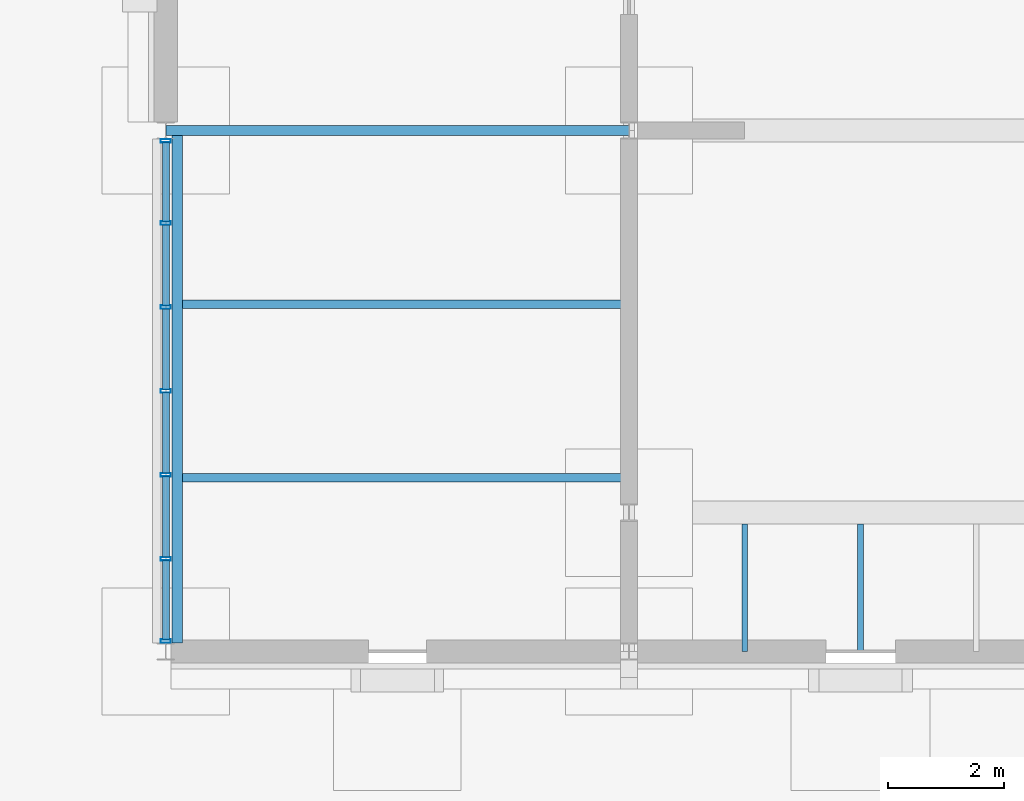
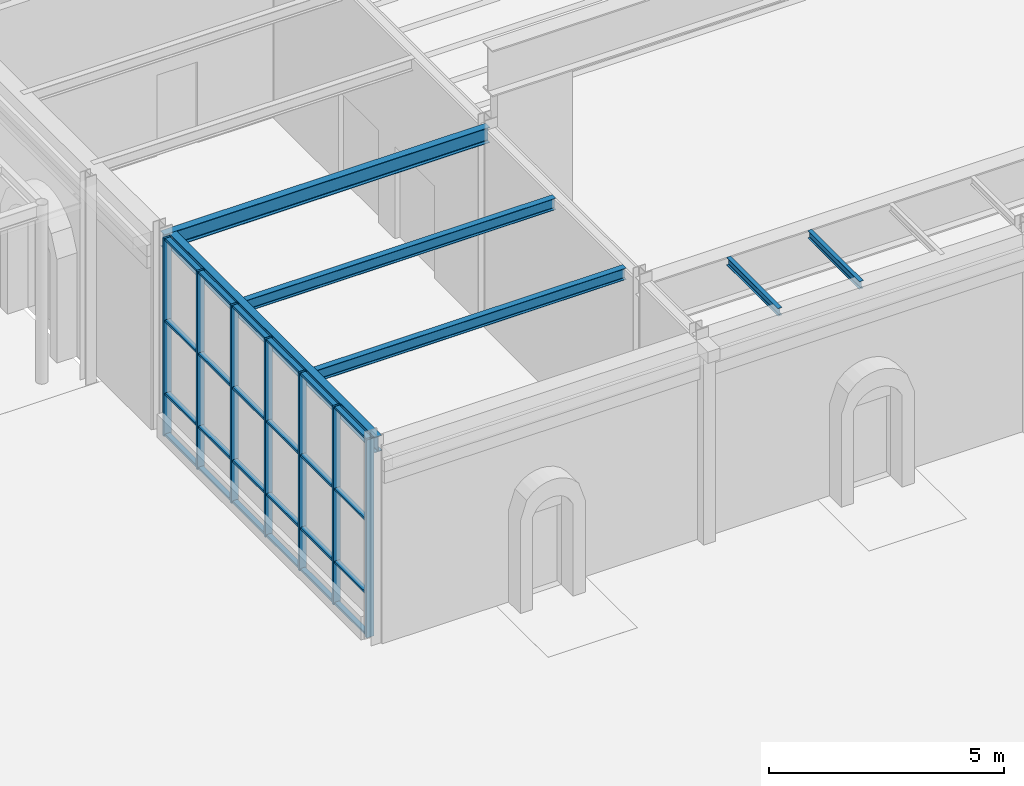
# One storey, part 55 of 126: 31 members, 6 beams, 1 element without a shape of its own.
"""IFC4 building model written with IfcOpenShell, lengths in metres."""

import ifcopenshell
import ifcopenshell.guid

model = None  # the IFC model being written
_history = None  # IfcOwnerHistory: only IFC2X3 demands one
_inside = {}  # id of a spatial element -> (the spatial element, [elements in it])
_under = {}  # id of a project, library or spatial element -> (it, [spatial elements below it])
_declared = {}  # id of a project -> (the project, [libraries it declares])
_typed = {}  # id of a type object -> (the type object, [elements of that type])
_made_of = {}  # id of a material, layer set ... -> (it, [elements and type objects made of it])


def new_model(schema):
    """Start an empty IFC model of exactly this schema.

    Asked for "IFC4X3", IfcOpenShell would pick the latest addendum, in which some entities
    have other attributes; the version numbers below select the first issue.
    IFC2X3 requires an IfcOwnerHistory on every rooted entity: one is made here for all.
    """
    global model, _history
    if schema == "IFC4X3":
        model = ifcopenshell.file(schema_version=(4, 3, 0, 0))
    else:
        model = ifcopenshell.file(schema=schema)
    _inside.clear()
    _under.clear()
    _declared.clear()
    _typed.clear()
    _made_of.clear()
    _history = None
    if model.schema == "IFC2X3":
        org = make("IfcOrganization", Name="unknown")
        user = make(
            "IfcPersonAndOrganization",
            ThePerson=make("IfcPerson", FamilyName="unknown"),
            TheOrganization=org,
        )
        app = make(
            "IfcApplication",
            ApplicationDeveloper=org,
            Version="unknown",
            ApplicationFullName="unknown",
            ApplicationIdentifier="unknown",
        )
        _history = make(
            "IfcOwnerHistory",
            OwningUser=user,
            OwningApplication=app,
            ChangeAction="ADDED",
            CreationDate=0,
        )
    return model


def make(cls, **values):
    """One entity of the class cls with the attributes given. An attribute that is None is left unset."""
    return model.create_entity(
        cls, **{name: value for name, value in values.items() if value is not None}
    )


def rooted(cls, **values):
    """An entity with a GlobalId (a new one), such as an element, a storey or a relation."""
    return make(cls, GlobalId=ifcopenshell.guid.new(), OwnerHistory=_history, **values)


def si_unit(unit_type, name, prefix=None):
    """IfcSIUnit, for example si_unit("LENGTHUNIT", "METRE", prefix="MILLI")."""
    return make("IfcSIUnit", UnitType=unit_type, Prefix=prefix, Name=name)


def assignment(units):
    """IfcUnitAssignment: the units of a project."""
    return None if units is None else make("IfcUnitAssignment", Units=units)


def point(xyz):
    """IfcCartesianPoint."""
    return None if xyz is None else make("IfcCartesianPoint", Coordinates=xyz)


def direction(xyz):
    """IfcDirection."""
    return None if xyz is None else make("IfcDirection", DirectionRatios=xyz)


def frame(location, z_axis=None, x_axis=None):
    """IfcAxis2Placement3D, a coordinate frame: its origin and axes. An axis left out is left unset."""
    return make(
        "IfcAxis2Placement3D",
        Location=point(location),
        Axis=direction(z_axis),
        RefDirection=direction(x_axis),
    )


def frame_2d(location, x_axis=None):
    """IfcAxis2Placement2D, a coordinate frame in the plane: its origin and x axis."""
    return make(
        "IfcAxis2Placement2D", Location=point(location), RefDirection=direction(x_axis)
    )


def origin():
    """The frame at (0, 0, 0) with its axes left unset."""
    return frame((0.0, 0.0, 0.0))


def origin_2d():
    """The frame at (0, 0) in the plane with its x axis left unset."""
    return frame_2d((0.0, 0.0))


def place(relative_to, where):
    """IfcLocalPlacement: puts the frame where relative to a parent placement (None: the world)."""
    return make(
        "IfcLocalPlacement", PlacementRelTo=relative_to, RelativePlacement=where
    )


def context(
    kind, dimensions, precision=None, world=None, true_north=None, identifier=None
):
    """IfcGeometricRepresentationContext, for example the 3D "Model" context."""
    return make(
        "IfcGeometricRepresentationContext",
        ContextIdentifier=identifier,
        ContextType=kind,
        CoordinateSpaceDimension=dimensions,
        Precision=precision,
        WorldCoordinateSystem=world,
        TrueNorth=true_north,
    )


def subcontext(parent, identifier, kind, view, scale=None):
    """IfcGeometricRepresentationSubContext, for example "Body" below "Model"."""
    return make(
        "IfcGeometricRepresentationSubContext",
        ContextIdentifier=identifier,
        ContextType=kind,
        ParentContext=parent,
        TargetScale=scale,
        TargetView=view,
    )


def project(units=None, contexts=None):
    """IfcProject with its units and contexts."""
    return rooted(
        "IfcProject",
        Name="project",
        RepresentationContexts=contexts,
        UnitsInContext=assignment(units),
    )


def spatial(cls, under=None, at=None, **own):
    """A site, building, storey or space (cls), placed at a placement, below another one or the project."""
    s = rooted(cls, ObjectPlacement=at, **own)
    if under is not None:
        _under.setdefault(under.id(), (under, []))[1].append(s)
    return s


def profile(cls, at=None, kind="AREA", **sizes):
    """A parametric profile (cls). Its sizes go by their IFC names, for example OverallWidth=200.0."""
    return make(cls, ProfileType=kind, Position=at, **sizes)


def hollow_rectangle(**sizes):
    """IfcRectangleHollowProfileDef."""
    return profile("IfcRectangleHollowProfileDef", **sizes)


def i_section(**sizes):
    """IfcIShapeProfileDef."""
    return profile("IfcIShapeProfileDef", **sizes)


def extrude(swept, where, along, depth):
    """IfcExtrudedAreaSolid: the profile swept, set in the frame where, extruded along a direction by depth."""
    return make(
        "IfcExtrudedAreaSolid",
        SweptArea=swept,
        Position=where,
        ExtrudedDirection=direction(along),
        Depth=depth,
    )


def shape(context_of_items, identifier, shape_type, items):
    """IfcShapeRepresentation: the items that make up one representation, for example the "Body"."""
    return make(
        "IfcShapeRepresentation",
        ContextOfItems=context_of_items,
        RepresentationIdentifier=identifier,
        RepresentationType=shape_type,
        Items=items,
    )


def material(Name=None, Category=None):
    """IfcMaterial."""
    return make("IfcMaterial", Name=Name, Category=Category)


def material_profile(
    of_material, cross_section, Name=None, Category=None, Priority=None
):
    """IfcMaterialProfile: a cross section and its material."""
    return make(
        "IfcMaterialProfile",
        Name=Name,
        Material=of_material,
        Profile=cross_section,
        Priority=Priority,
        Category=Category,
    )


def profile_set(profiles, Name=None, composite=None):
    """IfcMaterialProfileSet."""
    return make(
        "IfcMaterialProfileSet",
        Name=Name,
        MaterialProfiles=profiles,
        CompositeProfile=composite,
    )


def made_of(thing, what):
    """Note that an element or type object is made of a material, layer set ...; save() writes the relation."""
    if what is not None:
        _made_of.setdefault(what.id(), (what, []))[1].append(thing)
    return thing


def type_object(cls, material=None, **own):
    """A type object (cls), such as IfcWallType, which elements share."""
    return made_of(rooted(cls, **own), material)


def element(
    cls,
    number,
    at=None,
    inside=None,
    cuts=None,
    type_object=None,
    material=None,
    context=None,
    identifier="Body",
    shape_type=None,
    held_by="IfcProductDefinitionShape",
    body=None,
    shapes=None,
    **own,
):
    """One element of the class cls, such as IfcWall. Its Tag is "e" and its number.

    at: its placement. inside: the storey or other place that contains it. cuts: it is an
    opening in that element (IfcRelVoidsElement). A single representation is given by context,
    identifier, shape_type and body (its items); several are given by shapes. held_by: the class
    of the entity that holds the representations. save() writes the other relations.
    """
    e = rooted(cls, Tag="e%d" % number, ObjectPlacement=at, **own)
    if body is not None:
        shapes = [shape(context, identifier, shape_type, body)]
    if shapes is not None:
        e.Representation = make(held_by, Representations=shapes)
    if inside is not None:
        _inside.setdefault(inside.id(), (inside, []))[1].append(e)
    if cuts is not None:
        rooted(
            "IfcRelVoidsElement", RelatingBuildingElement=cuts, RelatedOpeningElement=e
        )
    if type_object is not None:
        _typed.setdefault(type_object.id(), (type_object, []))[1].append(e)
    return made_of(e, material)


def aggregate(whole, parts):
    """IfcRelAggregates: a whole, such as a stair, and the parts it consists of."""
    return rooted("IfcRelAggregates", RelatingObject=whole, RelatedObjects=parts)


def save(model, path):
    """Write the relations noted so far, then the file.

    IfcRelAggregates (storeys below a building ...), IfcRelContainedInSpatialStructure (elements
    in a storey), IfcRelDefinesByType, IfcRelAssociatesMaterial and IfcRelDeclares: one each for
    every whole, place, type object, material and project.
    """
    for whole, parts in _under.values():
        aggregate(whole, parts)
    for where, things in _inside.values():
        rooted(
            "IfcRelContainedInSpatialStructure",
            RelatedElements=things,
            RelatingStructure=where,
        )
    for kind, things in _typed.values():
        rooted("IfcRelDefinesByType", RelatedObjects=things, RelatingType=kind)
    for what, things in _made_of.values():
        rooted("IfcRelAssociatesMaterial", RelatedObjects=things, RelatingMaterial=what)
    for by, libraries in _declared.values():
        rooted("IfcRelDeclares", RelatingContext=by, RelatedDefinitions=libraries)
    model.write(path)


model = new_model("IFC4")

# Units and contexts
model_context = context("Model", 3, precision=1e-05, world=origin(), true_north=direction((0.0, 1.0)))
body_context = subcontext(model_context, "Body", "Model", "MODEL_VIEW")
ifc_project = project(units=[si_unit("LENGTHUNIT", "METRE"), si_unit("AREAUNIT", "SQUARE_METRE"), si_unit("VOLUMEUNIT", "CUBIC_METRE"), si_unit("PLANEANGLEUNIT", "RADIAN"), si_unit("MASSUNIT", "GRAM", prefix="KILO")], contexts=[model_context])

# Site, building, storey
site_placement = place(None, origin())
site = spatial("IfcSite", under=ifc_project, at=site_placement, CompositionType="ELEMENT")
building_placement = place(site_placement, origin())
building = spatial("IfcBuilding", under=site, at=building_placement, Name="Kallimachos Central Library", CompositionType="ELEMENT")
storey_placement = place(building_placement, origin())
storey = spatial("IfcBuildingStorey", under=building, at=storey_placement, Name="L00", CompositionType="ELEMENT", Elevation=0.0)

# Curtain wall, members
ifc_material_1 = material(Name="Laminated glass in anodised aluminium", Category="aluminium")
curtain_wall_type = type_object("IfcCurtainWallType", Name="Foyer curtain wall", PredefinedType="NOTDEFINED", material=ifc_material_1)
curtain_wall_placement = place(storey_placement, origin())
curtain_wall = element("IfcCurtainWall", 1, at=curtain_wall_placement, inside=storey, type_object=curtain_wall_type, Name="V3-CWL-L00-001", PredefinedType="NOTDEFINED")
ifc_material_2 = material(Name="Anodised aluminium", Category="aluminium")
ifc_material_profile_1 = material_profile(ifc_material_2, hollow_rectangle(XDim=0.06005859375, YDim=0.179931640625, WallThickness=0.00390625, at=origin_2d()), Name="ALU MULLION 60x180")
ifc_profile_set_1 = profile_set([ifc_material_profile_1], Name="Anodised aluminium")
member_type_1 = type_object("IfcMemberType", Name="ALU MULLION 60x180 mullion", PredefinedType="MULLION", material=ifc_profile_set_1)
member_1_placement = place(storey_placement, frame((138.0, 87.179931640625, 0.0), z_axis=(0.0, 0.0, 1.0), x_axis=(0.0, 1.0, 0.0)))
member_1 = element("IfcMember", 2, at=member_1_placement, type_object=member_type_1, Name="CW mullion 1", PredefinedType="MULLION", context=body_context, shape_type="SweptSolid", body=[
    extrude(hollow_rectangle(XDim=0.06005859375, YDim=0.179931640625, WallThickness=0.00390625, at=origin_2d()), origin(), (0.0, 0.0, 1.0), 5.14990234375),
])
member_2_placement = place(storey_placement, frame((138.0, 88.60009765625, 0.0), z_axis=(0.0, 0.0, 1.0), x_axis=(0.0, 1.0, 0.0)))
member_2 = element("IfcMember", 3, at=member_2_placement, type_object=member_type_1, Name="CW mullion 2", PredefinedType="MULLION", context=body_context, shape_type="SweptSolid", body=[
    extrude(hollow_rectangle(XDim=0.06005859375, YDim=0.179931640625, WallThickness=0.00390625, at=origin_2d()), origin(), (0.0, 0.0, 1.0), 5.14990234375),
])
member_3_placement = place(storey_placement, frame((138.0, 90.050048828125, 0.0), z_axis=(0.0, 0.0, 1.0), x_axis=(0.0, 1.0, 0.0)))
member_3 = element("IfcMember", 4, at=member_3_placement, type_object=member_type_1, Name="CW mullion 3", PredefinedType="MULLION", context=body_context, shape_type="SweptSolid", body=[
    extrude(hollow_rectangle(XDim=0.06005859375, YDim=0.179931640625, WallThickness=0.00390625, at=origin_2d()), origin(), (0.0, 0.0, 1.0), 5.14990234375),
])
member_4_placement = place(storey_placement, frame((138.0, 91.5, 0.0), z_axis=(0.0, 0.0, 1.0), x_axis=(0.0, 1.0, 0.0)))
member_4 = element("IfcMember", 5, at=member_4_placement, type_object=member_type_1, Name="CW mullion 4", PredefinedType="MULLION", context=body_context, shape_type="SweptSolid", body=[
    extrude(hollow_rectangle(XDim=0.06005859375, YDim=0.179931640625, WallThickness=0.00390625, at=origin_2d()), origin(), (0.0, 0.0, 1.0), 5.14990234375),
])
member_5_placement = place(storey_placement, frame((138.0, 92.949951171875, 0.0), z_axis=(0.0, 0.0, 1.0), x_axis=(0.0, 1.0, 0.0)))
member_5 = element("IfcMember", 6, at=member_5_placement, type_object=member_type_1, Name="CW mullion 5", PredefinedType="MULLION", context=body_context, shape_type="SweptSolid", body=[
    extrude(hollow_rectangle(XDim=0.06005859375, YDim=0.179931640625, WallThickness=0.00390625, at=origin_2d()), origin(), (0.0, 0.0, 1.0), 5.14990234375),
])
member_6_placement = place(storey_placement, frame((138.0, 94.39990234375, 0.0), z_axis=(0.0, 0.0, 1.0), x_axis=(0.0, 1.0, 0.0)))
member_6 = element("IfcMember", 7, at=member_6_placement, type_object=member_type_1, Name="CW mullion 6", PredefinedType="MULLION", context=body_context, shape_type="SweptSolid", body=[
    extrude(hollow_rectangle(XDim=0.06005859375, YDim=0.179931640625, WallThickness=0.00390625, at=origin_2d()), origin(), (0.0, 0.0, 1.0), 5.14990234375),
])
member_7_placement = place(storey_placement, frame((138.0, 95.820068359375, 0.0), z_axis=(0.0, 0.0, 1.0), x_axis=(0.0, 1.0, 0.0)))
member_7 = element("IfcMember", 8, at=member_7_placement, type_object=member_type_1, Name="CW mullion 7", PredefinedType="MULLION", context=body_context, shape_type="SweptSolid", body=[
    extrude(hollow_rectangle(XDim=0.06005859375, YDim=0.179931640625, WallThickness=0.00390625, at=origin_2d()), origin(), (0.0, 0.0, 1.0), 5.14990234375),
])
ifc_material_3 = material(Name="Anodised aluminium", Category="aluminium")
ifc_material_profile_2 = material_profile(ifc_material_3, hollow_rectangle(XDim=0.06005859375, YDim=0.1201171875, WallThickness=0.00390625, at=origin_2d()), Name="ALU TRANSOM 60x120")
ifc_profile_set_2 = profile_set([ifc_material_profile_2], Name="Anodised aluminium")
member_type_2 = type_object("IfcMemberType", Name="ALU TRANSOM 60x120 transom", PredefinedType="USERDEFINED", material=ifc_profile_set_2)
member_8_placement = place(storey_placement, frame((138.0, 87.2099609375, 0.030029296875), z_axis=(0.0, 1.0, 0.0), x_axis=(0.0, 0.0, 1.0)))
member_8 = element("IfcMember", 9, at=member_8_placement, type_object=member_type_2, Name="CW transom 1.1", ObjectType="TRANSOM", PredefinedType="USERDEFINED", context=body_context, shape_type="SweptSolid", body=[
    extrude(hollow_rectangle(XDim=0.06005859375, YDim=0.1201171875, WallThickness=0.00390625, at=origin_2d()), origin(), (0.0, 0.0, 1.0), 1.360107421875),
])
member_9_placement = place(storey_placement, frame((138.0, 87.2099609375, 1.10009765625), z_axis=(0.0, 1.0, 0.0), x_axis=(0.0, 0.0, 1.0)))
member_9 = element("IfcMember", 10, at=member_9_placement, type_object=member_type_2, Name="CW transom 1.2", ObjectType="TRANSOM", PredefinedType="USERDEFINED", context=body_context, shape_type="SweptSolid", body=[
    extrude(hollow_rectangle(XDim=0.06005859375, YDim=0.1201171875, WallThickness=0.00390625, at=origin_2d()), origin(), (0.0, 0.0, 1.0), 1.360107421875),
])
member_10_placement = place(storey_placement, frame((138.0, 87.2099609375, 3.0), z_axis=(0.0, 1.0, 0.0), x_axis=(0.0, 0.0, 1.0)))
member_10 = element("IfcMember", 11, at=member_10_placement, type_object=member_type_2, Name="CW transom 1.3", ObjectType="TRANSOM", PredefinedType="USERDEFINED", context=body_context, shape_type="SweptSolid", body=[
    extrude(hollow_rectangle(XDim=0.06005859375, YDim=0.1201171875, WallThickness=0.00390625, at=origin_2d()), origin(), (0.0, 0.0, 1.0), 1.360107421875),
])
member_11_placement = place(storey_placement, frame((138.0, 87.2099609375, 5.1201171875), z_axis=(0.0, 1.0, 0.0), x_axis=(0.0, 0.0, 1.0)))
member_11 = element("IfcMember", 12, at=member_11_placement, type_object=member_type_2, Name="CW transom 1.4", ObjectType="TRANSOM", PredefinedType="USERDEFINED", context=body_context, shape_type="SweptSolid", body=[
    extrude(hollow_rectangle(XDim=0.06005859375, YDim=0.1201171875, WallThickness=0.00390625, at=origin_2d()), origin(), (0.0, 0.0, 1.0), 1.360107421875),
])
member_12_placement = place(storey_placement, frame((138.0, 88.6298828125, 0.030029296875), z_axis=(0.0, 1.0, 0.0), x_axis=(0.0, 0.0, 1.0)))
member_12 = element("IfcMember", 13, at=member_12_placement, type_object=member_type_2, Name="CW transom 2.1", ObjectType="TRANSOM", PredefinedType="USERDEFINED", context=body_context, shape_type="SweptSolid", body=[
    extrude(hollow_rectangle(XDim=0.06005859375, YDim=0.1201171875, WallThickness=0.00390625, at=origin_2d()), origin(), (0.0, 0.0, 1.0), 1.39013671875),
])
member_13_placement = place(storey_placement, frame((138.0, 88.6298828125, 1.10009765625), z_axis=(0.0, 1.0, 0.0), x_axis=(0.0, 0.0, 1.0)))
member_13 = element("IfcMember", 14, at=member_13_placement, type_object=member_type_2, Name="CW transom 2.2", ObjectType="TRANSOM", PredefinedType="USERDEFINED", context=body_context, shape_type="SweptSolid", body=[
    extrude(hollow_rectangle(XDim=0.06005859375, YDim=0.1201171875, WallThickness=0.00390625, at=origin_2d()), origin(), (0.0, 0.0, 1.0), 1.39013671875),
])
member_14_placement = place(storey_placement, frame((138.0, 88.6298828125, 3.0), z_axis=(0.0, 1.0, 0.0), x_axis=(0.0, 0.0, 1.0)))
member_14 = element("IfcMember", 15, at=member_14_placement, type_object=member_type_2, Name="CW transom 2.3", ObjectType="TRANSOM", PredefinedType="USERDEFINED", context=body_context, shape_type="SweptSolid", body=[
    extrude(hollow_rectangle(XDim=0.06005859375, YDim=0.1201171875, WallThickness=0.00390625, at=origin_2d()), origin(), (0.0, 0.0, 1.0), 1.39013671875),
])
member_15_placement = place(storey_placement, frame((138.0, 88.6298828125, 5.1201171875), z_axis=(0.0, 1.0, 0.0), x_axis=(0.0, 0.0, 1.0)))
member_15 = element("IfcMember", 16, at=member_15_placement, type_object=member_type_2, Name="CW transom 2.4", ObjectType="TRANSOM", PredefinedType="USERDEFINED", context=body_context, shape_type="SweptSolid", body=[
    extrude(hollow_rectangle(XDim=0.06005859375, YDim=0.1201171875, WallThickness=0.00390625, at=origin_2d()), origin(), (0.0, 0.0, 1.0), 1.39013671875),
])
member_16_placement = place(storey_placement, frame((138.0, 90.080078125, 0.030029296875), z_axis=(0.0, 1.0, 0.0), x_axis=(0.0, 0.0, 1.0)))
member_16 = element("IfcMember", 17, at=member_16_placement, type_object=member_type_2, Name="CW transom 3.1", ObjectType="TRANSOM", PredefinedType="USERDEFINED", context=body_context, shape_type="SweptSolid", body=[
    extrude(hollow_rectangle(XDim=0.06005859375, YDim=0.1201171875, WallThickness=0.00390625, at=origin_2d()), origin(), (0.0, 0.0, 1.0), 1.389892578125),
])
member_17_placement = place(storey_placement, frame((138.0, 90.080078125, 1.10009765625), z_axis=(0.0, 1.0, 0.0), x_axis=(0.0, 0.0, 1.0)))
member_17 = element("IfcMember", 18, at=member_17_placement, type_object=member_type_2, Name="CW transom 3.2", ObjectType="TRANSOM", PredefinedType="USERDEFINED", context=body_context, shape_type="SweptSolid", body=[
    extrude(hollow_rectangle(XDim=0.06005859375, YDim=0.1201171875, WallThickness=0.00390625, at=origin_2d()), origin(), (0.0, 0.0, 1.0), 1.389892578125),
])
member_18_placement = place(storey_placement, frame((138.0, 90.080078125, 3.0), z_axis=(0.0, 1.0, 0.0), x_axis=(0.0, 0.0, 1.0)))
member_18 = element("IfcMember", 19, at=member_18_placement, type_object=member_type_2, Name="CW transom 3.3", ObjectType="TRANSOM", PredefinedType="USERDEFINED", context=body_context, shape_type="SweptSolid", body=[
    extrude(hollow_rectangle(XDim=0.06005859375, YDim=0.1201171875, WallThickness=0.00390625, at=origin_2d()), origin(), (0.0, 0.0, 1.0), 1.389892578125),
])
member_19_placement = place(storey_placement, frame((138.0, 90.080078125, 5.1201171875), z_axis=(0.0, 1.0, 0.0), x_axis=(0.0, 0.0, 1.0)))
member_19 = element("IfcMember", 20, at=member_19_placement, type_object=member_type_2, Name="CW transom 3.4", ObjectType="TRANSOM", PredefinedType="USERDEFINED", context=body_context, shape_type="SweptSolid", body=[
    extrude(hollow_rectangle(XDim=0.06005859375, YDim=0.1201171875, WallThickness=0.00390625, at=origin_2d()), origin(), (0.0, 0.0, 1.0), 1.389892578125),
])
member_20_placement = place(storey_placement, frame((138.0, 91.530029296875, 0.030029296875), z_axis=(0.0, 1.0, 0.0), x_axis=(0.0, 0.0, 1.0)))
member_20 = element("IfcMember", 21, at=member_20_placement, type_object=member_type_2, Name="CW transom 4.1", ObjectType="TRANSOM", PredefinedType="USERDEFINED", context=body_context, shape_type="SweptSolid", body=[
    extrude(hollow_rectangle(XDim=0.06005859375, YDim=0.1201171875, WallThickness=0.00390625, at=origin_2d()), origin(), (0.0, 0.0, 1.0), 1.389892578125),
])
member_21_placement = place(storey_placement, frame((138.0, 91.530029296875, 1.10009765625), z_axis=(0.0, 1.0, 0.0), x_axis=(0.0, 0.0, 1.0)))
member_21 = element("IfcMember", 22, at=member_21_placement, type_object=member_type_2, Name="CW transom 4.2", ObjectType="TRANSOM", PredefinedType="USERDEFINED", context=body_context, shape_type="SweptSolid", body=[
    extrude(hollow_rectangle(XDim=0.06005859375, YDim=0.1201171875, WallThickness=0.00390625, at=origin_2d()), origin(), (0.0, 0.0, 1.0), 1.389892578125),
])
member_22_placement = place(storey_placement, frame((138.0, 91.530029296875, 3.0), z_axis=(0.0, 1.0, 0.0), x_axis=(0.0, 0.0, 1.0)))
member_22 = element("IfcMember", 23, at=member_22_placement, type_object=member_type_2, Name="CW transom 4.3", ObjectType="TRANSOM", PredefinedType="USERDEFINED", context=body_context, shape_type="SweptSolid", body=[
    extrude(hollow_rectangle(XDim=0.06005859375, YDim=0.1201171875, WallThickness=0.00390625, at=origin_2d()), origin(), (0.0, 0.0, 1.0), 1.389892578125),
])
member_23_placement = place(storey_placement, frame((138.0, 91.530029296875, 5.1201171875), z_axis=(0.0, 1.0, 0.0), x_axis=(0.0, 0.0, 1.0)))
member_23 = element("IfcMember", 24, at=member_23_placement, type_object=member_type_2, Name="CW transom 4.4", ObjectType="TRANSOM", PredefinedType="USERDEFINED", context=body_context, shape_type="SweptSolid", body=[
    extrude(hollow_rectangle(XDim=0.06005859375, YDim=0.1201171875, WallThickness=0.00390625, at=origin_2d()), origin(), (0.0, 0.0, 1.0), 1.389892578125),
])
member_24_placement = place(storey_placement, frame((138.0, 92.97998046875, 0.030029296875), z_axis=(0.0, 1.0, 0.0), x_axis=(0.0, 0.0, 1.0)))
member_24 = element("IfcMember", 25, at=member_24_placement, type_object=member_type_2, Name="CW transom 5.1", ObjectType="TRANSOM", PredefinedType="USERDEFINED", context=body_context, shape_type="SweptSolid", body=[
    extrude(hollow_rectangle(XDim=0.06005859375, YDim=0.1201171875, WallThickness=0.00390625, at=origin_2d()), origin(), (0.0, 0.0, 1.0), 1.39013671875),
])
member_25_placement = place(storey_placement, frame((138.0, 92.97998046875, 1.10009765625), z_axis=(0.0, 1.0, 0.0), x_axis=(0.0, 0.0, 1.0)))
member_25 = element("IfcMember", 26, at=member_25_placement, type_object=member_type_2, Name="CW transom 5.2", ObjectType="TRANSOM", PredefinedType="USERDEFINED", context=body_context, shape_type="SweptSolid", body=[
    extrude(hollow_rectangle(XDim=0.06005859375, YDim=0.1201171875, WallThickness=0.00390625, at=origin_2d()), origin(), (0.0, 0.0, 1.0), 1.39013671875),
])
member_26_placement = place(storey_placement, frame((138.0, 92.97998046875, 3.0), z_axis=(0.0, 1.0, 0.0), x_axis=(0.0, 0.0, 1.0)))
member_26 = element("IfcMember", 27, at=member_26_placement, type_object=member_type_2, Name="CW transom 5.3", ObjectType="TRANSOM", PredefinedType="USERDEFINED", context=body_context, shape_type="SweptSolid", body=[
    extrude(hollow_rectangle(XDim=0.06005859375, YDim=0.1201171875, WallThickness=0.00390625, at=origin_2d()), origin(), (0.0, 0.0, 1.0), 1.39013671875),
])
member_27_placement = place(storey_placement, frame((138.0, 92.97998046875, 5.1201171875), z_axis=(0.0, 1.0, 0.0), x_axis=(0.0, 0.0, 1.0)))
member_27 = element("IfcMember", 28, at=member_27_placement, type_object=member_type_2, Name="CW transom 5.4", ObjectType="TRANSOM", PredefinedType="USERDEFINED", context=body_context, shape_type="SweptSolid", body=[
    extrude(hollow_rectangle(XDim=0.06005859375, YDim=0.1201171875, WallThickness=0.00390625, at=origin_2d()), origin(), (0.0, 0.0, 1.0), 1.39013671875),
])
member_28_placement = place(storey_placement, frame((138.0, 94.429931640625, 0.030029296875), z_axis=(0.0, 1.0, 0.0), x_axis=(0.0, 0.0, 1.0)))
member_28 = element("IfcMember", 29, at=member_28_placement, type_object=member_type_2, Name="CW transom 6.1", ObjectType="TRANSOM", PredefinedType="USERDEFINED", context=body_context, shape_type="SweptSolid", body=[
    extrude(hollow_rectangle(XDim=0.06005859375, YDim=0.1201171875, WallThickness=0.00390625, at=origin_2d()), origin(), (0.0, 0.0, 1.0), 1.360107421875),
])
member_29_placement = place(storey_placement, frame((138.0, 94.429931640625, 1.10009765625), z_axis=(0.0, 1.0, 0.0), x_axis=(0.0, 0.0, 1.0)))
member_29 = element("IfcMember", 30, at=member_29_placement, type_object=member_type_2, Name="CW transom 6.2", ObjectType="TRANSOM", PredefinedType="USERDEFINED", context=body_context, shape_type="SweptSolid", body=[
    extrude(hollow_rectangle(XDim=0.06005859375, YDim=0.1201171875, WallThickness=0.00390625, at=origin_2d()), origin(), (0.0, 0.0, 1.0), 1.360107421875),
])
member_30_placement = place(storey_placement, frame((138.0, 94.429931640625, 3.0), z_axis=(0.0, 1.0, 0.0), x_axis=(0.0, 0.0, 1.0)))
member_30 = element("IfcMember", 31, at=member_30_placement, type_object=member_type_2, Name="CW transom 6.3", ObjectType="TRANSOM", PredefinedType="USERDEFINED", context=body_context, shape_type="SweptSolid", body=[
    extrude(hollow_rectangle(XDim=0.06005859375, YDim=0.1201171875, WallThickness=0.00390625, at=origin_2d()), origin(), (0.0, 0.0, 1.0), 1.360107421875),
])
member_31_placement = place(storey_placement, frame((138.0, 94.429931640625, 5.1201171875), z_axis=(0.0, 1.0, 0.0), x_axis=(0.0, 0.0, 1.0)))
member_31 = element("IfcMember", 32, at=member_31_placement, type_object=member_type_2, Name="CW transom 6.4", ObjectType="TRANSOM", PredefinedType="USERDEFINED", context=body_context, shape_type="SweptSolid", body=[
    extrude(hollow_rectangle(XDim=0.06005859375, YDim=0.1201171875, WallThickness=0.00390625, at=origin_2d()), origin(), (0.0, 0.0, 1.0), 1.360107421875),
])
aggregate(curtain_wall, [member_1, member_2, member_3, member_4, member_5, member_6, member_7, member_8, member_9, member_10, member_11, member_12, member_13, member_14, member_15, member_16, member_17, member_18, member_19, member_20, member_21, member_22, member_23, member_24, member_25, member_26, member_27, member_28, member_29, member_30, member_31])

# Beams
ifc_material_4 = material(Name="Steel S355J2", Category="steel")
ifc_material_profile_3 = material_profile(ifc_material_4, i_section(OverallWidth=0.10009765625, OverallDepth=0.199951171875, WebThickness=0.005615234375, FlangeThickness=0.008544921875, FilletRadius=0.011962890625, at=origin_2d()), Name="IPE 200")
ifc_profile_set_3 = profile_set([ifc_material_profile_3], Name="Steel S355J2")
beam_type_1 = type_object("IfcBeamType", Name="IPE 200 beam", PredefinedType="BEAM", material=ifc_profile_set_3)
for number, where, z_axis, x_axis, name in (
    (33, (148.0, 87.0, 5.050048828125), (0.0, 1.0, 0.0), (-1.0, 0.0, 0.0), "V3-BEM-L00-010"),
    (34, (150.0, 87.0, 5.050048828125), (0.0, 1.0, 0.0), (-1.0, 0.0, 0.0), "V3-BEM-L00-011"),
):
    element("IfcBeam", number, at=place(storey_placement, frame(where, z_axis=z_axis, x_axis=x_axis)), inside=storey, type_object=beam_type_1, Name=name, PredefinedType="BEAM", context=body_context, shape_type="SweptSolid", body=[
        extrude(i_section(OverallWidth=0.10009765625, OverallDepth=0.199951171875, WebThickness=0.005615234375, FlangeThickness=0.008544921875, FilletRadius=0.011962890625, at=origin_2d()), origin(), (0.0, 0.0, 1.0), 2.199951171875),
    ])
ifc_material_5 = material(Name="Steel S355J2", Category="steel")
ifc_material_profile_4 = material_profile(ifc_material_5, i_section(OverallWidth=0.14990234375, OverallDepth=0.300048828125, WebThickness=0.007080078125, FlangeThickness=0.0107421875, FilletRadius=0.014892578125, at=origin_2d()), Name="IPE 300")
ifc_profile_set_4 = profile_set([ifc_material_profile_4], Name="Steel S355J2")
beam_type_2 = type_object("IfcBeamType", Name="IPE 300 beam", PredefinedType="BEAM", material=ifc_profile_set_4)
for number, where, z_axis, x_axis, name in (
    (35, (138.2900390625, 90.0, 5.0), (1.0, 0.0, 0.0), (0.0, 1.0, 0.0), "V3-BEM-L00-003"),
    (36, (138.2900390625, 93.0, 5.0), (1.0, 0.0, 0.0), (0.0, 1.0, 0.0), "V3-BEM-L00-004"),
):
    element("IfcBeam", number, at=place(storey_placement, frame(where, z_axis=z_axis, x_axis=x_axis)), inside=storey, type_object=beam_type_2, Name=name, PredefinedType="BEAM", context=body_context, shape_type="SweptSolid", body=[
        extrude(i_section(OverallWidth=0.14990234375, OverallDepth=0.300048828125, WebThickness=0.007080078125, FlangeThickness=0.0107421875, FilletRadius=0.014892578125, at=origin_2d()), origin(), (0.0, 0.0, 1.0), 7.614990234375),
    ])
ifc_material_6 = material(Name="Steel S355J2", Category="steel")
ifc_material_profile_5 = material_profile(ifc_material_6, i_section(OverallWidth=0.179931640625, OverallDepth=0.39990234375, WebThickness=0.008544921875, FlangeThickness=0.013427734375, FilletRadius=0.02099609375, at=origin_2d()), Name="IPE 400")
ifc_profile_set_5 = profile_set([ifc_material_profile_5], Name="Steel S355J2")
beam_type_3 = type_object("IfcBeamType", Name="IPE 400 beam", PredefinedType="BEAM", material=ifc_profile_set_5)
beam_1_placement = place(storey_placement, frame((138.199951171875, 87.14990234375, 4.949951171875), z_axis=(0.0, 1.0, 0.0), x_axis=(-1.0, 0.0, 0.0)))
element("IfcBeam", 37, at=beam_1_placement, inside=storey, type_object=beam_type_3, Name="Facade edge beam L00", PredefinedType="BEAM", context=body_context, shape_type="SweptSolid", body=[
    extrude(i_section(OverallWidth=0.179931640625, OverallDepth=0.39990234375, WebThickness=0.008544921875, FlangeThickness=0.013427734375, FilletRadius=0.02099609375, at=origin_2d()), origin(), (0.0, 0.0, 1.0), 8.760009765625),
])
beam_2_placement = place(storey_placement, frame((138.0, 96.0, 4.949951171875), z_axis=(1.0, 0.0, 0.0), x_axis=(0.0, 1.0, 0.0)))
element("IfcBeam", 38, at=beam_2_placement, inside=storey, type_object=beam_type_3, Name="V3-BEM-L00-008", PredefinedType="BEAM", context=body_context, shape_type="SweptSolid", body=[
    extrude(i_section(OverallWidth=0.179931640625, OverallDepth=0.39990234375, WebThickness=0.008544921875, FlangeThickness=0.013427734375, FilletRadius=0.02099609375, at=origin_2d()), origin(), (0.0, 0.0, 1.0), 8.0),
])

save(model, "model.ifc")
